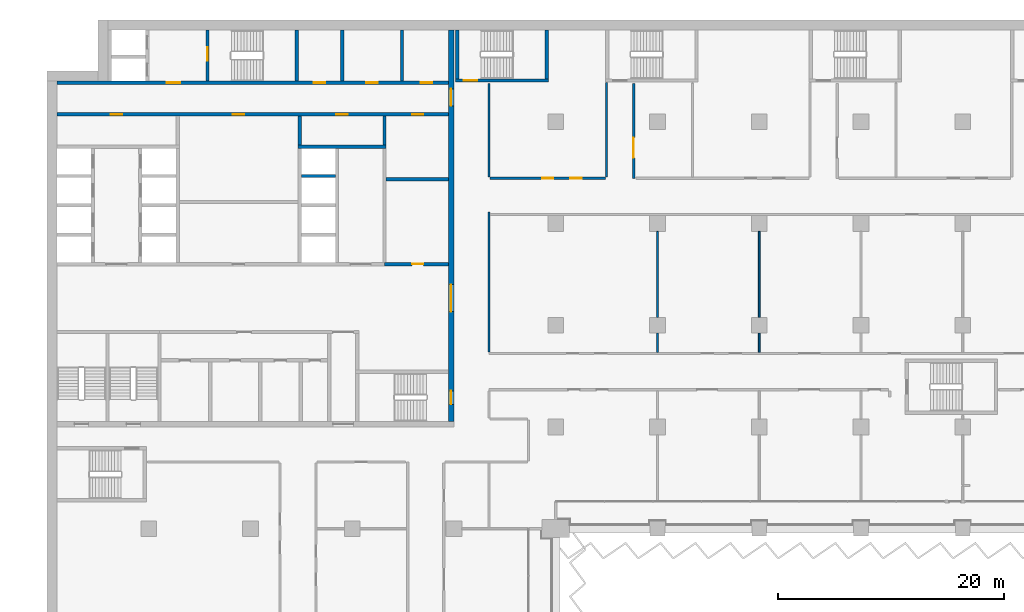
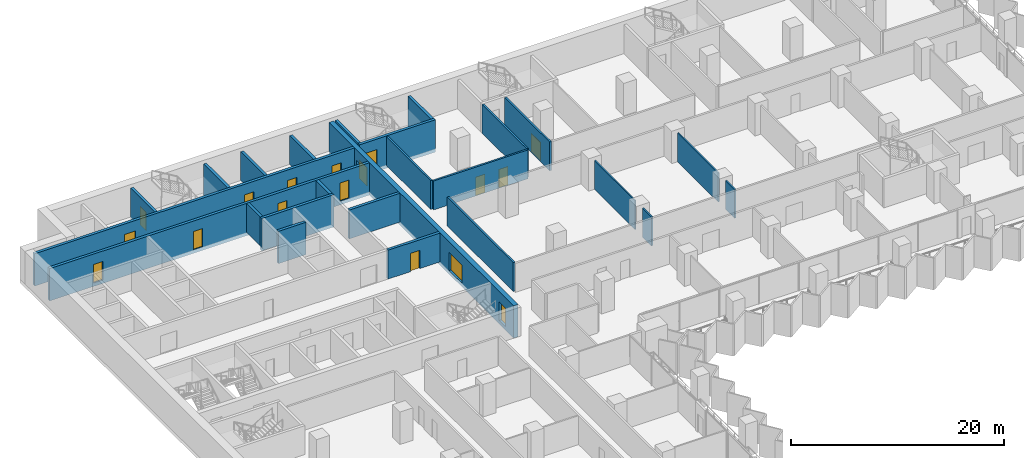
# One storey, part 15 of 28: 25 walls, 17 doors, 17 openings.
"""IFC4 building model written with IfcOpenShell, lengths in metres."""

from ifc_helpers import new_model, si_unit, direction, frame, frame_2d, origin, place, context, subcontext, project, spatial, rectangle, extrude, material, layer, layer_set, type_object, element, fill, save


model = new_model("IFC4")

# Units and contexts
model_context = context("Model", 3, precision=1e-05, world=origin(), true_north=direction((0.0, 1.0)))
body_context = subcontext(model_context, "Body", "Model", "MODEL_VIEW")
ifc_project = project(units=[si_unit("LENGTHUNIT", "METRE"), si_unit("AREAUNIT", "SQUARE_METRE"), si_unit("VOLUMEUNIT", "CUBIC_METRE"), si_unit("PLANEANGLEUNIT", "RADIAN"), si_unit("MASSUNIT", "GRAM", prefix="KILO")], contexts=[model_context])

# Site, building, storey
site_placement = place(None, origin())
site = spatial("IfcSite", under=ifc_project, at=site_placement, CompositionType="ELEMENT")
building_placement = place(site_placement, origin())
building = spatial("IfcBuilding", under=site, at=building_placement, Name="Hunhe Ridgeline Campus", CompositionType="ELEMENT")
storey_placement = place(building_placement, frame((0.0, 0.0, 58.0)))
storey = spatial("IfcBuildingStorey", under=building, at=storey_placement, Name="L13", CompositionType="ELEMENT", Elevation=58.0)

# Wall, opening, door
ifc_material_1 = material(Name="Masonry concrete blockwork", Category="masonry")
ifc_layer_1 = layer(ifc_material_1, 0.300048828125)
ifc_layer_set_1 = layer_set([ifc_layer_1], Name="Core room partition 300 concrete block")
wall_type_1 = type_object("IfcWallType", Name="Core room partition 300 concrete block", PredefinedType="PARTITIONING", material=ifc_layer_set_1)
wall_1_placement = place(storey_placement, frame((29.85009765625, 77.39990234375, 0.0), z_axis=(0.0, 0.0, 1.0), x_axis=(1.0, 0.0, 0.0)))
wall_1 = element("IfcWall", 1, at=wall_1_placement, inside=storey, type_object=wall_type_1, Name="L13 core partition 15", PredefinedType="PARTITIONING", context=body_context, shape_type="SweptSolid", body=[
    extrude(rectangle(XDim=5.64990234375, YDim=0.300048828125, at=frame_2d((2.824951171875, 0.0))), origin(), (0.0, 0.0, 1.0), 3.300048828125),
])
opening_1_placement = place(wall_1_placement, frame((2.449951171875, 0.0, 0.0)))
opening_1 = element("IfcOpeningElement", 2, at=opening_1_placement, cuts=wall_1, Name="Opening CD32", PredefinedType="OPENING", context=body_context, shape_type="SweptSolid", body=[
    extrude(rectangle(XDim=1.0, YDim=2.10009765625, at=frame_2d((0.5, 1.050048828125))), frame((0.0, 0.14990234375, 0.0), z_axis=(0.0, -1.0, 0.0), x_axis=(1.0, 0.0, 0.0)), (0.0, 0.0, 1.0), 0.300048828125),
])
ifc_material_2 = material(Name="Solid core timber door leaf", Category="wood")
door_type_1 = type_object("IfcDoorType", Name="Timber door 1000x2100", OperationType="SINGLE_SWING_LEFT", PredefinedType="DOOR", material=ifc_material_2)
door_1_placement = place(opening_1_placement, origin())
door_1 = element("IfcDoor", 3, at=door_1_placement, inside=storey, type_object=door_type_1, Name="L13 door ES0", OperationType="SINGLE_SWING_RIGHT", OverallHeight=2.10009765625, OverallWidth=1.0, PredefinedType="DOOR", context=body_context, shape_type="SweptSolid", body=[
    extrude(rectangle(XDim=1.0, YDim=2.10009765625, at=frame_2d((0.5, 1.050048828125))), frame((0.0, 0.02490234375, 0.0), z_axis=(0.0, -1.0, 0.0), x_axis=(1.0, 0.0, 0.0)), (0.0, 0.0, 1.0), 0.050048828125),
])
fill(opening_1, door_1)

# Walls
wall_2_placement = place(storey_placement, frame((30.0, 84.89990234375, 0.0), z_axis=(0.0, 0.0, 1.0), x_axis=(1.0, 0.0, 0.0)))
element("IfcWall", 4, at=wall_2_placement, inside=storey, type_object=wall_type_1, Name="L13 core partition 23", PredefinedType="PARTITIONING", context=body_context, shape_type="SweptSolid", body=[
    extrude(rectangle(XDim=5.5, YDim=0.300048828125, at=frame_2d((2.75, 0.0))), origin(), (0.0, 0.0, 1.0), 3.300048828125),
])
wall_3_placement = place(storey_placement, frame((22.35009765625, 87.949951171875, 0.0), z_axis=(0.0, 0.0, 1.0), x_axis=(0.0, 1.0, 0.0)))
element("IfcWall", 5, at=wall_3_placement, inside=storey, type_object=wall_type_1, Name="L13 core partition 52", PredefinedType="PARTITIONING", context=body_context, shape_type="SweptSolid", body=[
    extrude(rectangle(XDim=2.550048828125, YDim=0.300048828125, at=frame_2d((1.27490234375, 0.0))), origin(), (0.0, 0.0, 1.0), 3.300048828125),
])
wall_4_placement = place(storey_placement, frame((26.10009765625, 93.60009765625, 0.0), z_axis=(0.0, 0.0, 1.0), x_axis=(0.0, 1.0, 0.0)))
element("IfcWall", 6, at=wall_4_placement, inside=storey, type_object=wall_type_1, Name="L13 core partition 57", PredefinedType="PARTITIONING", context=body_context, shape_type="SweptSolid", body=[
    extrude(rectangle(XDim=4.5, YDim=0.300048828125, at=frame_2d((2.25, 0.0))), origin(), (0.0, 0.0, 1.0), 3.300048828125),
])
wall_5_placement = place(storey_placement, frame((29.85009765625, 87.949951171875, 0.0), z_axis=(0.0, 0.0, 1.0), x_axis=(0.0, 1.0, 0.0)))
element("IfcWall", 7, at=wall_5_placement, inside=storey, type_object=wall_type_1, Name="L13 core partition 61", PredefinedType="PARTITIONING", context=body_context, shape_type="SweptSolid", body=[
    extrude(rectangle(XDim=2.550048828125, YDim=0.300048828125, at=frame_2d((1.27490234375, 0.0))), origin(), (0.0, 0.0, 1.0), 3.300048828125),
])
wall_6_placement = place(storey_placement, frame((31.39990234375, 93.60009765625, 0.0), z_axis=(0.0, 0.0, 1.0), x_axis=(0.0, 1.0, 0.0)))
element("IfcWall", 8, at=wall_6_placement, inside=storey, type_object=wall_type_1, Name="L13 core partition 62", PredefinedType="PARTITIONING", context=body_context, shape_type="SweptSolid", body=[
    extrude(rectangle(XDim=4.5, YDim=0.300048828125, at=frame_2d((2.25, 0.0))), origin(), (0.0, 0.0, 1.0), 3.300048828125),
])

# Wall, openings, doors
ifc_material_3 = material(Name="Concrete C80", Category="concrete")
ifc_layer_2 = layer(ifc_material_3, 0.5)
ifc_layer_set_2 = layer_set([ifc_layer_2], Name="Core wall 500 reinforced concrete C80")
wall_type_2 = type_object("IfcWallType", Name="Core wall 500 reinforced concrete C80", PredefinedType="SOLIDWALL", material=ifc_layer_set_2)
wall_7_placement = place(storey_placement, frame((35.75, 63.5, -0.39990234375), z_axis=(0.0, 0.0, 1.0), x_axis=(0.0, 1.0, 0.0)))
wall_7 = element("IfcWall", 9, at=wall_7_placement, inside=storey, type_object=wall_type_2, Name="L13 core wall 63", PredefinedType="SOLIDWALL", context=body_context, shape_type="SweptSolid", body=[
    extrude(rectangle(XDim=34.60009765625, YDim=0.5, at=frame_2d((17.300048828125, 0.0))), origin(), (0.0, 0.0, 1.0), 3.699951171875),
])
opening_2_placement = place(wall_7_placement, frame((9.699951171875, 0.0, 0.39990234375)))
opening_2 = element("IfcOpeningElement", 10, at=opening_2_placement, cuts=wall_7, Name="Opening CD4", PredefinedType="OPENING", context=body_context, shape_type="SweptSolid", body=[
    extrude(rectangle(XDim=2.39990234375, YDim=2.10009765625, at=frame_2d((1.199951171875, 1.050048828125))), frame((0.0, 0.25, 0.0), z_axis=(0.0, -1.0, 0.0), x_axis=(1.0, 0.0, 0.0)), (0.0, 0.0, 1.0), 0.5),
])
opening_3_placement = place(wall_7_placement, frame((27.89990234375, 0.0, 0.39990234375)))
opening_3 = element("IfcOpeningElement", 11, at=opening_3_placement, cuts=wall_7, Name="Opening CD5", PredefinedType="OPENING", context=body_context, shape_type="SweptSolid", body=[
    extrude(rectangle(XDim=1.5, YDim=2.10009765625, at=frame_2d((0.75, 1.050048828125))), frame((0.0, 0.25, 0.0), z_axis=(0.0, -1.0, 0.0), x_axis=(1.0, 0.0, 0.0)), (0.0, 0.0, 1.0), 0.5),
])
opening_4_placement = place(wall_7_placement, frame((1.5, 0.0, 0.39990234375)))
opening_4 = element("IfcOpeningElement", 12, at=opening_4_placement, cuts=wall_7, Name="Opening CD15", PredefinedType="OPENING", context=body_context, shape_type="SweptSolid", body=[
    extrude(rectangle(XDim=1.199951171875, YDim=2.10009765625, at=frame_2d((0.60009765625, 1.050048828125))), frame((0.0, 0.25, 0.0), z_axis=(0.0, -1.0, 0.0), x_axis=(1.0, 0.0, 0.0)), (0.0, 0.0, 1.0), 0.5),
])
ifc_material_4 = material(Name="Anodised aluminium and glass", Category="aluminium")
door_type_2 = type_object("IfcDoorType", Name="Glazed double door 2400x2100", OperationType="DOUBLE_DOOR_SINGLE_SWING", PredefinedType="DOOR", material=ifc_material_4)
door_2_placement = place(opening_2_placement, frame((2.39990234375, 0.0, 0.0), z_axis=(0.0, 0.0, 1.0), x_axis=(-1.0, 0.0, 0.0)))
door_2 = element("IfcDoor", 13, at=door_2_placement, inside=storey, type_object=door_type_2, Name="L13 door HALL-FLOOR", OperationType="DOUBLE_DOOR_SINGLE_SWING", OverallHeight=2.10009765625, OverallWidth=2.39990234375, PredefinedType="DOOR", context=body_context, shape_type="SweptSolid", body=[
    extrude(rectangle(XDim=2.39990234375, YDim=2.10009765625, at=frame_2d((1.199951171875, 1.050048828125))), frame((0.0, 0.02490234375, 0.0), z_axis=(0.0, -1.0, 0.0), x_axis=(1.0, 0.0, 0.0)), (0.0, 0.0, 1.0), 0.050048828125),
])
fill(opening_2, door_2)
ifc_material_5 = material(Name="Hollow metal fire door leaf")
door_type_3 = type_object("IfcDoorType", Name="Stair door 1200x2100 FD60", OperationType="SINGLE_SWING_LEFT", PredefinedType="DOOR", material=ifc_material_5)
door_3_placement = place(opening_4_placement, frame((1.199951171875, 0.0, 0.0), z_axis=(0.0, 0.0, 1.0), x_axis=(-1.0, 0.0, 0.0)))
door_3 = element("IfcDoor", 14, at=door_3_placement, inside=storey, type_object=door_type_3, Name="L13 door S2-FLOOR", OperationType="SINGLE_SWING_RIGHT", OverallHeight=2.10009765625, OverallWidth=1.199951171875, PredefinedType="DOOR", context=body_context, shape_type="SweptSolid", body=[
    extrude(rectangle(XDim=1.199951171875, YDim=2.10009765625, at=frame_2d((0.60009765625, 1.050048828125))), frame((0.0, 0.02490234375, 0.0), z_axis=(0.0, -1.0, 0.0), x_axis=(1.0, 0.0, 0.0)), (0.0, 0.0, 1.0), 0.050048828125),
])
fill(opening_4, door_3)
door_type_4 = type_object("IfcDoorType", Name="Timber door 1500x2100", OperationType="SINGLE_SWING_LEFT", PredefinedType="DOOR", material=ifc_material_2)
door_4_placement = place(opening_3_placement, frame((1.5, 0.0, 0.0), z_axis=(0.0, 0.0, 1.0), x_axis=(-1.0, 0.0, 0.0)))
door_4 = element("IfcDoor", 15, at=door_4_placement, inside=storey, type_object=door_type_4, Name="L13 door C1-FLOOR", OperationType="SINGLE_SWING_RIGHT", OverallHeight=2.10009765625, OverallWidth=1.5, PredefinedType="DOOR", context=body_context, shape_type="SweptSolid", body=[
    extrude(rectangle(XDim=1.5, YDim=2.10009765625, at=frame_2d((0.75, 1.050048828125))), frame((0.0, 0.02490234375, 0.0), z_axis=(0.0, -1.0, 0.0), x_axis=(1.0, 0.0, 0.0)), (0.0, 0.0, 1.0), 0.050048828125),
])
fill(opening_3, door_4)

ifc_material_6 = material(Name="Gypsum board partition")
ifc_layer_3 = layer(ifc_material_6, 0.199951171875)
ifc_layer_set_3 = layer_set([ifc_layer_3], Name="Corridor partition 200 gypsum board on steel studs")
wall_type_3 = type_object("IfcWallType", Name="Corridor partition 200 gypsum board on steel studs", PredefinedType="PARTITIONING", material=ifc_layer_set_3)
wall_8_placement = place(storey_placement, frame((39.199951171875, 85.0, 0.0), z_axis=(0.0, 0.0, 1.0), x_axis=(1.0, 0.0, 0.0)))
wall_8 = element("IfcWall", 16, at=wall_8_placement, inside=storey, type_object=wall_type_3, Name="F-L13-wall-043", PredefinedType="PARTITIONING", context=body_context, shape_type="SweptSolid", body=[
    extrude(rectangle(XDim=10.199951171875, YDim=0.199951171875, at=frame_2d((5.10009765625, 0.0))), origin(), (0.0, 0.0, 1.0), 3.300048828125),
])
opening_5_placement = place(wall_8_placement, frame((4.60009765625, 0.0, 0.0)))
opening_5 = element("IfcOpeningElement", 17, at=opening_5_placement, cuts=wall_8, Name="Opening RD1-040", PredefinedType="OPENING", context=body_context, shape_type="SweptSolid", body=[
    extrude(rectangle(XDim=1.0, YDim=2.10009765625, at=frame_2d((0.5, 1.050048828125))), frame((0.0, 0.10009765625, 0.0), z_axis=(0.0, -1.0, 0.0), x_axis=(1.0, 0.0, 0.0)), (0.0, 0.0, 1.0), 0.199951171875),
])
opening_6_placement = place(wall_8_placement, frame((7.10009765625, 0.0, 0.0)))
opening_6 = element("IfcOpeningElement", 18, at=opening_6_placement, cuts=wall_8, Name="Opening RD1-041", PredefinedType="OPENING", context=body_context, shape_type="SweptSolid", body=[
    extrude(rectangle(XDim=1.0, YDim=2.10009765625, at=frame_2d((0.5, 1.050048828125))), frame((0.0, 0.10009765625, 0.0), z_axis=(0.0, -1.0, 0.0), x_axis=(1.0, 0.0, 0.0)), (0.0, 0.0, 1.0), 0.199951171875),
])
ifc_material_7 = material(Name="Timber door leaf", Category="wood")
door_type_5 = type_object("IfcDoorType", Name="Single fire door 1000x2100 timber FD60", OperationType="NOTDEFINED", PredefinedType="DOOR", material=ifc_material_7)
door_5_placement = place(opening_5_placement, frame((1.0, 0.0, 0.0), z_axis=(0.0, 0.0, 1.0), x_axis=(-1.0, 0.0, 0.0)))
door_5 = element("IfcDoor", 19, at=door_5_placement, inside=storey, type_object=door_type_5, Name="F-L13-door-040", OperationType="SINGLE_SWING_LEFT", OverallHeight=2.10009765625, OverallWidth=1.0, PredefinedType="DOOR", context=body_context, shape_type="SweptSolid", body=[
    extrude(rectangle(XDim=1.0, YDim=2.10009765625, at=frame_2d((0.5, 1.050048828125))), frame((0.0, 0.02490234375, 0.0), z_axis=(0.0, -1.0, 0.0), x_axis=(1.0, 0.0, 0.0)), (0.0, 0.0, 1.0), 0.050048828125),
])
fill(opening_5, door_5)
door_6_placement = place(opening_6_placement, frame((1.0, 0.0, 0.0), z_axis=(0.0, 0.0, 1.0), x_axis=(-1.0, 0.0, 0.0)))
door_6 = element("IfcDoor", 20, at=door_6_placement, inside=storey, type_object=door_type_5, Name="F-L13-door-041", OperationType="SINGLE_SWING_LEFT", OverallHeight=2.10009765625, OverallWidth=1.0, PredefinedType="DOOR", context=body_context, shape_type="SweptSolid", body=[
    extrude(rectangle(XDim=1.0, YDim=2.10009765625, at=frame_2d((0.5, 1.050048828125))), frame((0.0, 0.02490234375, 0.0), z_axis=(0.0, -1.0, 0.0), x_axis=(1.0, 0.0, 0.0)), (0.0, 0.0, 1.0), 0.050048828125),
])
fill(opening_6, door_6)

# Walls
wall_9_placement = place(storey_placement, frame((39.10009765625, 82.012451171875, 0.0), z_axis=(0.0, 0.0, 1.0), x_axis=(0.0, -1.0, 0.0)))
element("IfcWall", 21, at=wall_9_placement, inside=storey, type_object=wall_type_3, Name="F-L13-wall-063", PredefinedType="PARTITIONING", context=body_context, shape_type="SweptSolid", body=[
    extrude(rectangle(XDim=12.373291015625, YDim=0.199951171875, at=frame_2d((6.1865234375, 0.0))), origin(), (0.0, 0.0, 1.0), 3.300048828125),
])
wall_10_placement = place(storey_placement, frame((39.10009765625, 93.39599609375, 0.0), z_axis=(0.0, 0.0, 1.0), x_axis=(0.0, -1.0, 0.0)))
element("IfcWall", 22, at=wall_10_placement, inside=storey, type_object=wall_type_3, Name="F-L13-wall-064", PredefinedType="PARTITIONING", context=body_context, shape_type="SweptSolid", body=[
    extrude(rectangle(XDim=8.2958984375, YDim=0.199951171875, at=frame_2d((4.14794921875, 0.0))), origin(), (0.0, 0.0, 1.0), 3.300048828125),
])
wall_11_placement = place(storey_placement, frame((49.5, 85.10009765625, 0.0), z_axis=(0.0, 0.0, 1.0), x_axis=(0.0, 1.0, 0.0)))
element("IfcWall", 23, at=wall_11_placement, inside=storey, type_object=wall_type_3, Name="F-L13-wall-066", PredefinedType="PARTITIONING", context=body_context, shape_type="SweptSolid", body=[
    extrude(rectangle(XDim=8.369873046875, YDim=0.199951171875, at=frame_2d((4.18505859375, 0.0))), origin(), (0.0, 0.0, 1.0), 3.300048828125),
])

# Wall, opening, door
wall_12_placement = place(storey_placement, frame((51.89990234375, 93.39599609375, 0.0), z_axis=(0.0, 0.0, 1.0), x_axis=(0.0, -1.0, 0.0)))
wall_12 = element("IfcWall", 24, at=wall_12_placement, inside=storey, type_object=wall_type_3, Name="F-L13-wall-067", PredefinedType="PARTITIONING", context=body_context, shape_type="SweptSolid", body=[
    extrude(rectangle(XDim=8.39599609375, YDim=0.199951171875, at=frame_2d((4.197998046875, 0.0))), origin(), (0.0, 0.0, 1.0), 3.300048828125),
])
opening_7_placement = place(wall_12_placement, frame((4.798095703125, 0.0, 0.0)))
opening_7 = element("IfcOpeningElement", 25, at=opening_7_placement, cuts=wall_12, Name="Opening RD2-048", PredefinedType="OPENING", context=body_context, shape_type="SweptSolid", body=[
    extrude(rectangle(XDim=1.800048828125, YDim=2.10009765625, at=frame_2d((0.89990234375, 1.050048828125))), frame((0.0, 0.10009765625, 0.0), z_axis=(0.0, -1.0, 0.0), x_axis=(1.0, 0.0, 0.0)), (0.0, 0.0, 1.0), 0.199951171875),
])
door_type_6 = type_object("IfcDoorType", Name="Double fire door 1800x2100 timber FD60", OperationType="DOUBLE_DOOR_SINGLE_SWING", PredefinedType="DOOR", material=ifc_material_7)
door_7_placement = place(opening_7_placement, origin())
door_7 = element("IfcDoor", 26, at=door_7_placement, inside=storey, type_object=door_type_6, Name="F-L13-door-048", OperationType="DOUBLE_DOOR_SINGLE_SWING", OverallHeight=2.10009765625, OverallWidth=1.800048828125, PredefinedType="DOOR", context=body_context, shape_type="SweptSolid", body=[
    extrude(rectangle(XDim=1.800048828125, YDim=2.10009765625, at=frame_2d((0.89990234375, 1.050048828125))), frame((0.0, 0.02490234375, 0.0), z_axis=(0.0, -1.0, 0.0), x_axis=(1.0, 0.0, 0.0)), (0.0, 0.0, 1.0), 0.050048828125),
])
fill(opening_7, door_7)

# Wall, openings, doors
ifc_layer_4 = layer(ifc_material_3, 0.300048828125)
ifc_layer_set_4 = layer_set([ifc_layer_4], Name="Lobby wall 300 reinforced concrete C80")
wall_type_4 = type_object("IfcWallType", Name="Lobby wall 300 reinforced concrete C80", PredefinedType="SOLIDWALL", material=ifc_layer_set_4)
wall_13_placement = place(storey_placement, frame((0.89990234375, 90.64990234375, -0.39990234375), z_axis=(0.0, 0.0, 1.0), x_axis=(1.0, 0.0, 0.0)))
wall_13 = element("IfcWall", 27, at=wall_13_placement, inside=storey, type_object=wall_type_4, Name="L13 core wall 29", PredefinedType="SOLIDWALL", context=body_context, shape_type="SweptSolid", body=[
    extrude(rectangle(XDim=34.60009765625, YDim=0.300048828125, at=frame_2d((17.300048828125, 0.0))), origin(), (0.0, 0.0, 1.0), 3.699951171875),
])
opening_8_placement = place(wall_13_placement, frame((4.75, 0.0, 0.39990234375)))
opening_8 = element("IfcOpeningElement", 28, at=opening_8_placement, cuts=wall_13, Name="Opening CD26", PredefinedType="OPENING", context=body_context, shape_type="SweptSolid", body=[
    extrude(rectangle(XDim=1.0, YDim=2.10009765625, at=frame_2d((0.5, 1.050048828125))), frame((0.0, 0.14990234375, 0.0), z_axis=(0.0, -1.0, 0.0), x_axis=(1.0, 0.0, 0.0)), (0.0, 0.0, 1.0), 0.300048828125),
])
opening_9_placement = place(wall_13_placement, frame((24.699951171875, 0.0, 0.39990234375)))
opening_9 = element("IfcOpeningElement", 29, at=opening_9_placement, cuts=wall_13, Name="Opening CD27", PredefinedType="OPENING", context=body_context, shape_type="SweptSolid", body=[
    extrude(rectangle(XDim=1.0, YDim=2.10009765625, at=frame_2d((0.5, 1.050048828125))), frame((0.0, 0.14990234375, 0.0), z_axis=(0.0, -1.0, 0.0), x_axis=(1.0, 0.0, 0.0)), (0.0, 0.0, 1.0), 0.300048828125),
])
opening_10_placement = place(wall_13_placement, frame((15.550048828125, 0.0, 0.39990234375)))
opening_10 = element("IfcOpeningElement", 30, at=opening_10_placement, cuts=wall_13, Name="Opening CD29", PredefinedType="OPENING", context=body_context, shape_type="SweptSolid", body=[
    extrude(rectangle(XDim=1.0, YDim=2.10009765625, at=frame_2d((0.5, 1.050048828125))), frame((0.0, 0.14990234375, 0.0), z_axis=(0.0, -1.0, 0.0), x_axis=(1.0, 0.0, 0.0)), (0.0, 0.0, 1.0), 0.300048828125),
])
opening_11_placement = place(wall_13_placement, frame((31.39990234375, 0.0, 0.39990234375)))
opening_11 = element("IfcOpeningElement", 31, at=opening_11_placement, cuts=wall_13, Name="Opening CD33", PredefinedType="OPENING", context=body_context, shape_type="SweptSolid", body=[
    extrude(rectangle(XDim=1.0, YDim=2.10009765625, at=frame_2d((0.5, 1.050048828125))), frame((0.0, 0.14990234375, 0.0), z_axis=(0.0, -1.0, 0.0), x_axis=(1.0, 0.0, 0.0)), (0.0, 0.0, 1.0), 0.300048828125),
])
door_8_placement = place(opening_8_placement, frame((1.0, 0.0, 0.0), z_axis=(0.0, 0.0, 1.0), x_axis=(-1.0, 0.0, 0.0)))
door_8 = element("IfcDoor", 32, at=door_8_placement, inside=storey, type_object=door_type_1, Name="L13 door NR-0", OperationType="SINGLE_SWING_RIGHT", OverallHeight=2.10009765625, OverallWidth=1.0, PredefinedType="DOOR", context=body_context, shape_type="SweptSolid", body=[
    extrude(rectangle(XDim=1.0, YDim=2.10009765625, at=frame_2d((0.5, 1.050048828125))), frame((0.0, 0.02490234375, 0.0), z_axis=(0.0, -1.0, 0.0), x_axis=(1.0, 0.0, 0.0)), (0.0, 0.0, 1.0), 0.050048828125),
])
fill(opening_8, door_8)
door_9_placement = place(opening_9_placement, frame((1.0, 0.0, 0.0), z_axis=(0.0, 0.0, 1.0), x_axis=(-1.0, 0.0, 0.0)))
door_9 = element("IfcDoor", 33, at=door_9_placement, inside=storey, type_object=door_type_1, Name="L13 door NR-1", OperationType="SINGLE_SWING_LEFT", OverallHeight=2.10009765625, OverallWidth=1.0, PredefinedType="DOOR", context=body_context, shape_type="SweptSolid", body=[
    extrude(rectangle(XDim=1.0, YDim=2.10009765625, at=frame_2d((0.5, 1.050048828125))), frame((0.0, 0.02490234375, 0.0), z_axis=(0.0, -1.0, 0.0), x_axis=(1.0, 0.0, 0.0)), (0.0, 0.0, 1.0), 0.050048828125),
])
fill(opening_9, door_9)
door_10_placement = place(opening_10_placement, frame((1.0, 0.0, 0.0), z_axis=(0.0, 0.0, 1.0), x_axis=(-1.0, 0.0, 0.0)))
door_10 = element("IfcDoor", 34, at=door_10_placement, inside=storey, type_object=door_type_1, Name="L13 door VD-HR1", OperationType="SINGLE_SWING_LEFT", OverallHeight=2.10009765625, OverallWidth=1.0, PredefinedType="DOOR", context=body_context, shape_type="SweptSolid", body=[
    extrude(rectangle(XDim=1.0, YDim=2.10009765625, at=frame_2d((0.5, 1.050048828125))), frame((0.0, 0.02490234375, 0.0), z_axis=(0.0, -1.0, 0.0), x_axis=(1.0, 0.0, 0.0)), (0.0, 0.0, 1.0), 0.050048828125),
])
fill(opening_10, door_10)
door_11_placement = place(opening_11_placement, frame((1.0, 0.0, 0.0), z_axis=(0.0, 0.0, 1.0), x_axis=(-1.0, 0.0, 0.0)))
door_11 = element("IfcDoor", 35, at=door_11_placement, inside=storey, type_object=door_type_1, Name="L13 door ES1", OperationType="SINGLE_SWING_RIGHT", OverallHeight=2.10009765625, OverallWidth=1.0, PredefinedType="DOOR", context=body_context, shape_type="SweptSolid", body=[
    extrude(rectangle(XDim=1.0, YDim=2.10009765625, at=frame_2d((0.5, 1.050048828125))), frame((0.0, 0.02490234375, 0.0), z_axis=(0.0, -1.0, 0.0), x_axis=(1.0, 0.0, 0.0)), (0.0, 0.0, 1.0), 0.050048828125),
])
fill(opening_11, door_11)

# Walls
ifc_layer_5 = layer(ifc_material_6, 0.14990234375)
ifc_layer_set_5 = layer_set([ifc_layer_5], Name="Room partition 150 gypsum board on steel studs")
wall_type_5 = type_object("IfcWallType", Name="Room partition 150 gypsum board on steel studs", PredefinedType="PARTITIONING", material=ifc_layer_set_5)
wall_14_placement = place(storey_placement, frame((54.0, 71.300048828125, 0.0), z_axis=(0.0, 0.0, 1.0), x_axis=(0.0, -1.0, 0.0)))
element("IfcWall", 36, at=wall_14_placement, inside=storey, type_object=wall_type_5, Name="F-L13-wall-070", PredefinedType="PARTITIONING", context=body_context, shape_type="SweptSolid", body=[
    extrude(rectangle(XDim=1.699951171875, YDim=0.14990234375, at=frame_2d((0.85009765625, 0.0))), origin(), (0.0, 0.0, 1.0), 3.300048828125),
])
wall_15_placement = place(storey_placement, frame((54.0, 80.300048828125, 0.0), z_axis=(0.0, 0.0, 1.0), x_axis=(0.0, -1.0, 0.0)))
element("IfcWall", 37, at=wall_15_placement, inside=storey, type_object=wall_type_5, Name="F-L13-wall-071", PredefinedType="PARTITIONING", context=body_context, shape_type="SweptSolid", body=[
    extrude(rectangle(XDim=7.60009765625, YDim=0.14990234375, at=frame_2d((3.800048828125, 0.0))), origin(), (0.0, 0.0, 1.0), 3.300048828125),
])
wall_16_placement = place(storey_placement, frame((63.0, 71.300048828125, 0.0), z_axis=(0.0, 0.0, 1.0), x_axis=(0.0, -1.0, 0.0)))
element("IfcWall", 38, at=wall_16_placement, inside=storey, type_object=wall_type_5, Name="F-L13-wall-075", PredefinedType="PARTITIONING", context=body_context, shape_type="SweptSolid", body=[
    extrude(rectangle(XDim=1.699951171875, YDim=0.14990234375, at=frame_2d((0.85009765625, 0.0))), origin(), (0.0, 0.0, 1.0), 3.300048828125),
])
wall_17_placement = place(storey_placement, frame((63.0, 80.300048828125, 0.0), z_axis=(0.0, 0.0, 1.0), x_axis=(0.0, -1.0, 0.0)))
element("IfcWall", 39, at=wall_17_placement, inside=storey, type_object=wall_type_5, Name="F-L13-wall-076", PredefinedType="PARTITIONING", context=body_context, shape_type="SweptSolid", body=[
    extrude(rectangle(XDim=7.60009765625, YDim=0.14990234375, at=frame_2d((3.800048828125, 0.0))), origin(), (0.0, 0.0, 1.0), 3.300048828125),
])
ifc_layer_6 = layer(ifc_material_3, 0.300048828125)
ifc_layer_set_6 = layer_set([ifc_layer_6], Name="Shaft wall 300 reinforced concrete C80")
wall_type_6 = type_object("IfcWallType", Name="Shaft wall 300 reinforced concrete C80", PredefinedType="SOLIDWALL", material=ifc_layer_set_6)
wall_18_placement = place(storey_placement, frame((22.5, 85.199951171875, -0.39990234375), z_axis=(0.0, 0.0, 1.0), x_axis=(1.0, 0.0, 0.0)))
element("IfcWall", 40, at=wall_18_placement, inside=storey, type_object=wall_type_6, Name="L13 core wall 26", PredefinedType="SOLIDWALL", context=body_context, shape_type="SweptSolid", body=[
    extrude(rectangle(XDim=3.0, YDim=0.300048828125, at=frame_2d((1.5, 0.0))), origin(), (0.0, 0.0, 1.0), 3.699951171875),
])
wall_19_placement = place(storey_placement, frame((22.199951171875, 87.800048828125, -0.39990234375), z_axis=(0.0, 0.0, 1.0), x_axis=(1.0, 0.0, 0.0)))
element("IfcWall", 41, at=wall_19_placement, inside=storey, type_object=wall_type_6, Name="L13 core wall 28", PredefinedType="SOLIDWALL", context=body_context, shape_type="SweptSolid", body=[
    extrude(rectangle(XDim=7.800048828125, YDim=0.300048828125, at=frame_2d((3.89990234375, 0.0))), origin(), (0.0, 0.0, 1.0), 3.699951171875),
])

# Wall, openings, doors
wall_20_placement = place(storey_placement, frame((0.89990234375, 93.449951171875, -0.39990234375), z_axis=(0.0, 0.0, 1.0), x_axis=(1.0, 0.0, 0.0)))
wall_20 = element("IfcWall", 42, at=wall_20_placement, inside=storey, type_object=wall_type_6, Name="L13 core wall 30", PredefinedType="SOLIDWALL", context=body_context, shape_type="SweptSolid", body=[
    extrude(rectangle(XDim=34.60009765625, YDim=0.300048828125, at=frame_2d((17.300048828125, 0.0))), origin(), (0.0, 0.0, 1.0), 3.699951171875),
])
opening_12_placement = place(wall_20_placement, frame((9.699951171875, 0.0, 0.39990234375)))
opening_12 = element("IfcOpeningElement", 43, at=opening_12_placement, cuts=wall_20, Name="Opening CD3", PredefinedType="OPENING", context=body_context, shape_type="SweptSolid", body=[
    extrude(rectangle(XDim=1.199951171875, YDim=2.10009765625, at=frame_2d((0.60009765625, 1.050048828125))), frame((0.0, 0.14990234375, 0.0), z_axis=(0.0, -1.0, 0.0), x_axis=(1.0, 0.0, 0.0)), (0.0, 0.0, 1.0), 0.300048828125),
])
opening_13_placement = place(wall_20_placement, frame((22.699951171875, 0.0, 0.39990234375)))
opening_13 = element("IfcOpeningElement", 44, at=opening_13_placement, cuts=wall_20, Name="Opening CD34", PredefinedType="OPENING", context=body_context, shape_type="SweptSolid", body=[
    extrude(rectangle(XDim=1.0, YDim=2.10009765625, at=frame_2d((0.5, 1.050048828125))), frame((0.0, 0.14990234375, 0.0), z_axis=(0.0, -1.0, 0.0), x_axis=(1.0, 0.0, 0.0)), (0.0, 0.0, 1.0), 0.300048828125),
])
opening_14_placement = place(wall_20_placement, frame((27.35009765625, 0.0, 0.39990234375)))
opening_14 = element("IfcOpeningElement", 45, at=opening_14_placement, cuts=wall_20, Name="Opening CD35", PredefinedType="OPENING", context=body_context, shape_type="SweptSolid", body=[
    extrude(rectangle(XDim=1.0, YDim=2.10009765625, at=frame_2d((0.5, 1.050048828125))), frame((0.0, 0.14990234375, 0.0), z_axis=(0.0, -1.0, 0.0), x_axis=(1.0, 0.0, 0.0)), (0.0, 0.0, 1.0), 0.300048828125),
])
opening_15_placement = place(wall_20_placement, frame((32.175048828125, 0.0, 0.39990234375)))
opening_15 = element("IfcOpeningElement", 46, at=opening_15_placement, cuts=wall_20, Name="Opening CD36", PredefinedType="OPENING", context=body_context, shape_type="SweptSolid", body=[
    extrude(rectangle(XDim=1.0, YDim=2.10009765625, at=frame_2d((0.5, 1.050048828125))), frame((0.0, 0.14990234375, 0.0), z_axis=(0.0, -1.0, 0.0), x_axis=(1.0, 0.0, 0.0)), (0.0, 0.0, 1.0), 0.300048828125),
])
door_type_7 = type_object("IfcDoorType", Name="Lobby door 1200x2100 FD60", OperationType="SINGLE_SWING_LEFT", PredefinedType="DOOR", material=ifc_material_5)
door_12_placement = place(opening_12_placement, frame((1.199951171875, 0.0, 0.0), z_axis=(0.0, 0.0, 1.0), x_axis=(-1.0, 0.0, 0.0)))
door_12 = element("IfcDoor", 47, at=door_12_placement, inside=storey, type_object=door_type_7, Name="L13 door FF-C1", OperationType="SINGLE_SWING_LEFT", OverallHeight=2.10009765625, OverallWidth=1.199951171875, PredefinedType="DOOR", context=body_context, shape_type="SweptSolid", body=[
    extrude(rectangle(XDim=1.199951171875, YDim=2.10009765625, at=frame_2d((0.60009765625, 1.050048828125))), frame((0.0, 0.02490234375, 0.0), z_axis=(0.0, -1.0, 0.0), x_axis=(1.0, 0.0, 0.0)), (0.0, 0.0, 1.0), 0.050048828125),
])
fill(opening_12, door_12)
door_13_placement = place(opening_13_placement, origin())
door_13 = element("IfcDoor", 48, at=door_13_placement, inside=storey, type_object=door_type_1, Name="L13 door NB0", OperationType="SINGLE_SWING_RIGHT", OverallHeight=2.10009765625, OverallWidth=1.0, PredefinedType="DOOR", context=body_context, shape_type="SweptSolid", body=[
    extrude(rectangle(XDim=1.0, YDim=2.10009765625, at=frame_2d((0.5, 1.050048828125))), frame((0.0, 0.02490234375, 0.0), z_axis=(0.0, -1.0, 0.0), x_axis=(1.0, 0.0, 0.0)), (0.0, 0.0, 1.0), 0.050048828125),
])
fill(opening_13, door_13)
door_14_placement = place(opening_14_placement, origin())
door_14 = element("IfcDoor", 49, at=door_14_placement, inside=storey, type_object=door_type_1, Name="L13 door NB1", OperationType="SINGLE_SWING_LEFT", OverallHeight=2.10009765625, OverallWidth=1.0, PredefinedType="DOOR", context=body_context, shape_type="SweptSolid", body=[
    extrude(rectangle(XDim=1.0, YDim=2.10009765625, at=frame_2d((0.5, 1.050048828125))), frame((0.0, 0.02490234375, 0.0), z_axis=(0.0, -1.0, 0.0), x_axis=(1.0, 0.0, 0.0)), (0.0, 0.0, 1.0), 0.050048828125),
])
fill(opening_14, door_14)
door_15_placement = place(opening_15_placement, origin())
door_15 = element("IfcDoor", 50, at=door_15_placement, inside=storey, type_object=door_type_1, Name="L13 door NB2", OperationType="SINGLE_SWING_RIGHT", OverallHeight=2.10009765625, OverallWidth=1.0, PredefinedType="DOOR", context=body_context, shape_type="SweptSolid", body=[
    extrude(rectangle(XDim=1.0, YDim=2.10009765625, at=frame_2d((0.5, 1.050048828125))), frame((0.0, 0.02490234375, 0.0), z_axis=(0.0, -1.0, 0.0), x_axis=(1.0, 0.0, 0.0)), (0.0, 0.0, 1.0), 0.050048828125),
])
fill(opening_15, door_15)

# Wall, opening, door
ifc_layer_7 = layer(ifc_material_3, 0.300048828125)
ifc_layer_set_7 = layer_set([ifc_layer_7], Name="Stair wall 300 reinforced concrete C80")
wall_type_7 = type_object("IfcWallType", Name="Stair wall 300 reinforced concrete C80", PredefinedType="SOLIDWALL", material=ifc_layer_set_7)
wall_21_placement = place(storey_placement, frame((36.14990234375, 93.64990234375, -0.39990234375), z_axis=(0.0, 0.0, 1.0), x_axis=(1.0, 0.0, 0.0)))
wall_21 = element("IfcWall", 51, at=wall_21_placement, inside=storey, type_object=wall_type_7, Name="L13 core wall 31", PredefinedType="SOLIDWALL", context=body_context, shape_type="SweptSolid", body=[
    extrude(rectangle(XDim=8.2001953125, YDim=0.300048828125, at=frame_2d((4.10009765625, 0.0))), origin(), (0.0, 0.0, 1.0), 3.699951171875),
])
opening_16_placement = place(wall_21_placement, frame((0.699951171875, 0.0, 0.39990234375)))
opening_16 = element("IfcOpeningElement", 52, at=opening_16_placement, cuts=wall_21, Name="Opening CD17", PredefinedType="OPENING", context=body_context, shape_type="SweptSolid", body=[
    extrude(rectangle(XDim=1.199951171875, YDim=2.10009765625, at=frame_2d((0.60009765625, 1.050048828125))), frame((0.0, 0.14990234375, 0.0), z_axis=(0.0, -1.0, 0.0), x_axis=(1.0, 0.0, 0.0)), (0.0, 0.0, 1.0), 0.300048828125),
])
door_16_placement = place(opening_16_placement, frame((1.199951171875, 0.0, 0.0), z_axis=(0.0, 0.0, 1.0), x_axis=(-1.0, 0.0, 0.0)))
door_16 = element("IfcDoor", 53, at=door_16_placement, inside=storey, type_object=door_type_3, Name="L13 door E1", OperationType="SINGLE_SWING_RIGHT", OverallHeight=2.10009765625, OverallWidth=1.199951171875, PredefinedType="DOOR", context=body_context, shape_type="SweptSolid", body=[
    extrude(rectangle(XDim=1.199951171875, YDim=2.10009765625, at=frame_2d((0.60009765625, 1.050048828125))), frame((0.0, 0.02490234375, 0.0), z_axis=(0.0, -1.0, 0.0), x_axis=(1.0, 0.0, 0.0)), (0.0, 0.0, 1.0), 0.050048828125),
])
fill(opening_16, door_16)

wall_22_placement = place(storey_placement, frame((14.199951171875, 93.60009765625, -0.39990234375), z_axis=(0.0, 0.0, 1.0), x_axis=(0.0, 1.0, 0.0)))
wall_22 = element("IfcWall", 54, at=wall_22_placement, inside=storey, type_object=wall_type_7, Name="L13 core wall 46", PredefinedType="SOLIDWALL", context=body_context, shape_type="SweptSolid", body=[
    extrude(rectangle(XDim=4.5, YDim=0.300048828125, at=frame_2d((2.25, 0.0))), origin(), (0.0, 0.0, 1.0), 3.699951171875),
])
opening_17_placement = place(wall_22_placement, frame((1.800048828125, 0.0, 0.39990234375)))
opening_17 = element("IfcOpeningElement", 55, at=opening_17_placement, cuts=wall_22, Name="Opening CD16", PredefinedType="OPENING", context=body_context, shape_type="SweptSolid", body=[
    extrude(rectangle(XDim=1.199951171875, YDim=2.10009765625, at=frame_2d((0.60009765625, 1.050048828125))), frame((0.0, 0.14990234375, 0.0), z_axis=(0.0, -1.0, 0.0), x_axis=(1.0, 0.0, 0.0)), (0.0, 0.0, 1.0), 0.300048828125),
])
door_17_placement = place(opening_17_placement, origin())
door_17 = element("IfcDoor", 56, at=door_17_placement, inside=storey, type_object=door_type_3, Name="L13 door S1-FF", OperationType="SINGLE_SWING_LEFT", OverallHeight=2.10009765625, OverallWidth=1.199951171875, PredefinedType="DOOR", context=body_context, shape_type="SweptSolid", body=[
    extrude(rectangle(XDim=1.199951171875, YDim=2.10009765625, at=frame_2d((0.60009765625, 1.050048828125))), frame((0.0, 0.02490234375, 0.0), z_axis=(0.0, -1.0, 0.0), x_axis=(1.0, 0.0, 0.0)), (0.0, 0.0, 1.0), 0.050048828125),
])
fill(opening_17, door_17)

# Walls
wall_23_placement = place(storey_placement, frame((22.10009765625, 93.60009765625, -0.39990234375), z_axis=(0.0, 0.0, 1.0), x_axis=(0.0, 1.0, 0.0)))
element("IfcWall", 57, at=wall_23_placement, inside=storey, type_object=wall_type_7, Name="L13 core wall 50", PredefinedType="SOLIDWALL", context=body_context, shape_type="SweptSolid", body=[
    extrude(rectangle(XDim=4.5, YDim=0.300048828125, at=frame_2d((2.25, 0.0))), origin(), (0.0, 0.0, 1.0), 3.699951171875),
])
for number, where, z_axis, x_axis, name in (
    (58, (36.300048828125, 93.800048828125, -0.39990234375), (0.0, 0.0, 1.0), (0.0, 1.0, 0.0), "L13 core wall 64"),
    (59, (44.199951171875, 93.800048828125, -0.39990234375), (0.0, 0.0, 1.0), (0.0, 1.0, 0.0), "L13 core wall 65"),
):
    element("IfcWall", number, at=place(storey_placement, frame(where, z_axis=z_axis, x_axis=x_axis)), inside=storey, type_object=wall_type_7, Name=name, PredefinedType="SOLIDWALL", context=body_context, shape_type="SweptSolid", body=[
        extrude(rectangle(XDim=4.300048828125, YDim=0.300048828125, at=frame_2d((2.14990234375, 0.0))), origin(), (0.0, 0.0, 1.0), 3.699951171875),
    ])

save(model, "model.ifc")
